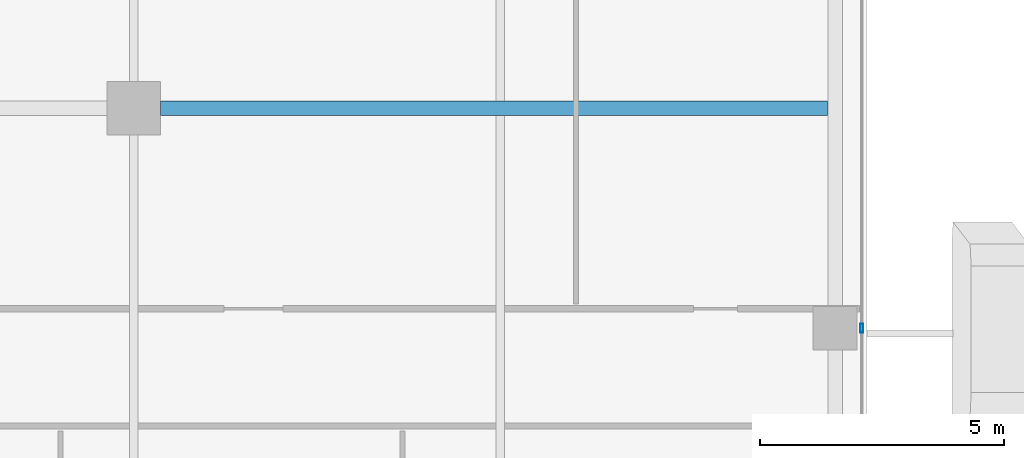
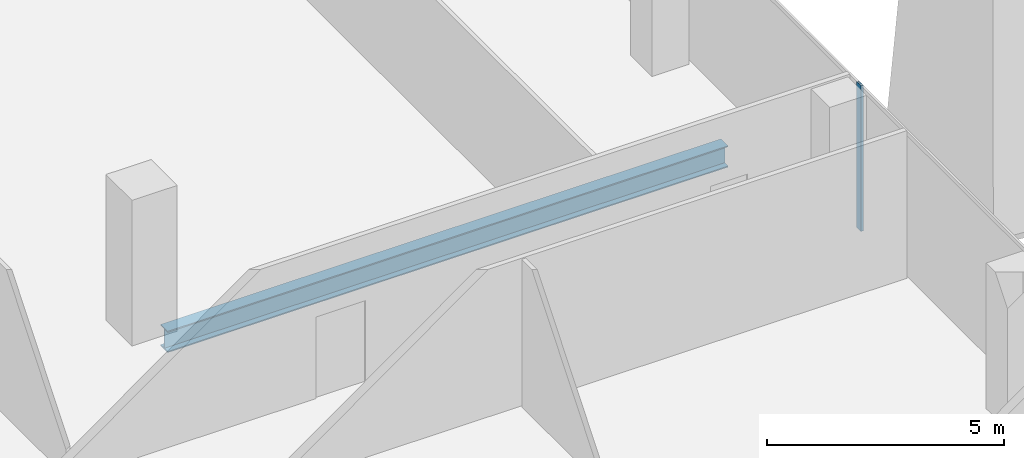
# One storey, part 13 of 36: 1 beam, 1 member, 1 element without a shape of its own.
"""IFC4 building model written with IfcOpenShell, lengths in metres."""

from ifc_helpers import new_model, si_unit, direction, frame, origin, origin_2d, place, context, subcontext, project, spatial, hollow_rectangle, i_section, extrude, source, transform, mapped, material, material_profile, profile_set, type_object, element, aggregate, save


model = new_model("IFC4")

# Units and contexts
model_context = context("Model", 3, precision=1e-05, world=origin(), true_north=direction((0.0, 1.0)))
body_context = subcontext(model_context, "Body", "Model", "MODEL_VIEW")
ifc_project = project(units=[si_unit("LENGTHUNIT", "METRE"), si_unit("AREAUNIT", "SQUARE_METRE"), si_unit("VOLUMEUNIT", "CUBIC_METRE"), si_unit("PLANEANGLEUNIT", "RADIAN"), si_unit("MASSUNIT", "GRAM", prefix="KILO")], contexts=[model_context])

# Site, building, storey
site_placement = place(None, origin())
site = spatial("IfcSite", under=ifc_project, at=site_placement, CompositionType="ELEMENT")
building_placement = place(site_placement, origin())
building = spatial("IfcBuilding", under=site, at=building_placement, Name="Khomas Fold Tower", CompositionType="ELEMENT")
storey_placement = place(building_placement, frame((0.0, 0.0, 238.199951171875)))
storey = spatial("IfcBuildingStorey", under=building, at=storey_placement, Name="L53", CompositionType="ELEMENT", Elevation=238.199951171875)

# Beam
ifc_material_1 = material(Name="Steel S355", Category="steel")
ifc_material_profile_1 = material_profile(ifc_material_1, i_section(OverallWidth=0.300048828125, OverallDepth=0.550048828125, WebThickness=0.014892578125, FlangeThickness=0.029052734375, at=origin_2d()), Name="HE 550 B")
ifc_profile_set_1 = profile_set([ifc_material_profile_1], Name="Steel S355")
beam_type = type_object("IfcBeamType", Name="HE 550 B beam GB4", PredefinedType="BEAM", material=ifc_profile_set_1)
shared_shape_1 = source(origin(), body_context, "Body", "SweptSolid", [
    extrude(i_section(OverallWidth=0.300048828125, OverallDepth=0.550048828125, WebThickness=0.014892578125, FlangeThickness=0.029052734375, at=origin_2d()), origin(), (0.0, 0.0, 1.0), 13.64990234375),
])
beam_placement = place(storey_placement, frame((35.050048828125, 31.5, -0.52490234375), z_axis=(1.0, 0.0, 0.0), x_axis=(0.0, 1.0, 0.0)))
element("IfcBeam", 1, at=beam_placement, inside=storey, type_object=beam_type, Name="GB4", PredefinedType="BEAM", context=body_context, shape_type="MappedRepresentation", body=[
    mapped(shared_shape_1, transform((0.0, 0.0, 0.0))),
])

# Curtain wall, member
ifc_material_2 = material(Name="Aluminium framed double glazing", Category="aluminium")
curtain_wall_type = type_object("IfcCurtainWallType", Name="SK-Unitised clear-glass wall, office floors CW2", PredefinedType="NOTDEFINED", material=ifc_material_2)
curtain_wall_placement = place(storey_placement, origin())
curtain_wall = element("IfcCurtainWall", 2, at=curtain_wall_placement, inside=storey, type_object=curtain_wall_type, Name="CW2 run L53 03-0", PredefinedType="NOTDEFINED")
ifc_material_3 = material(Name="Aluminium", Category="aluminium")
ifc_material_profile_2 = material_profile(ifc_material_3, hollow_rectangle(XDim=0.06005859375, YDim=0.179931640625, WallThickness=0.00390625, at=origin_2d()), Name="SK-Unitised clear-glass wall, office floors mullion CW2-M")
ifc_profile_set_2 = profile_set([ifc_material_profile_2], Name="Aluminium")
member_type = type_object("IfcMemberType", Name="SK-Unitised clear-glass wall, office floors mullion CW2-M", PredefinedType="MULLION", material=ifc_profile_set_2)
shared_shape_2 = source(origin(), body_context, "Body", "SweptSolid", [
    extrude(hollow_rectangle(XDim=0.06005859375, YDim=0.179931640625, WallThickness=0.00390625, at=origin_2d()), origin(), (0.0, 0.0, 1.0), 3.75),
])
member_placement = place(storey_placement, frame((49.39990234375, 27.0, 0.0), z_axis=(0.0, 0.0, 1.0), x_axis=(-1.0, 0.0, 0.0)))
member = element("IfcMember", 3, at=member_placement, type_object=member_type, Name="CW2 mullion 4", PredefinedType="MULLION", context=body_context, shape_type="MappedRepresentation", body=[
    mapped(shared_shape_2, transform((0.0, 0.0, 0.0))),
])
aggregate(curtain_wall, [member])

save(model, "model.ifc")
